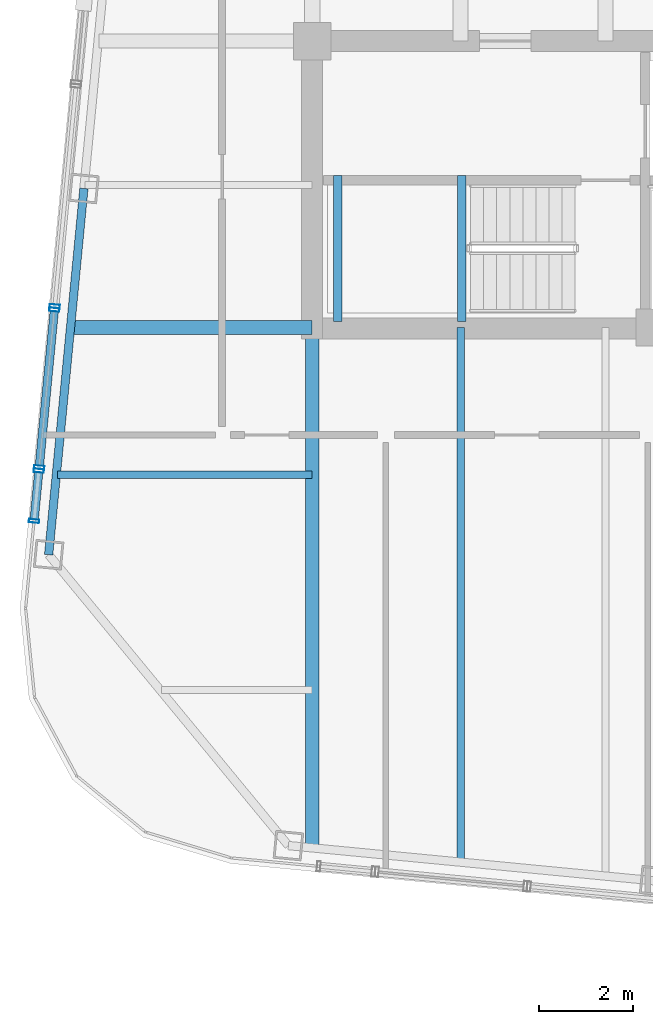
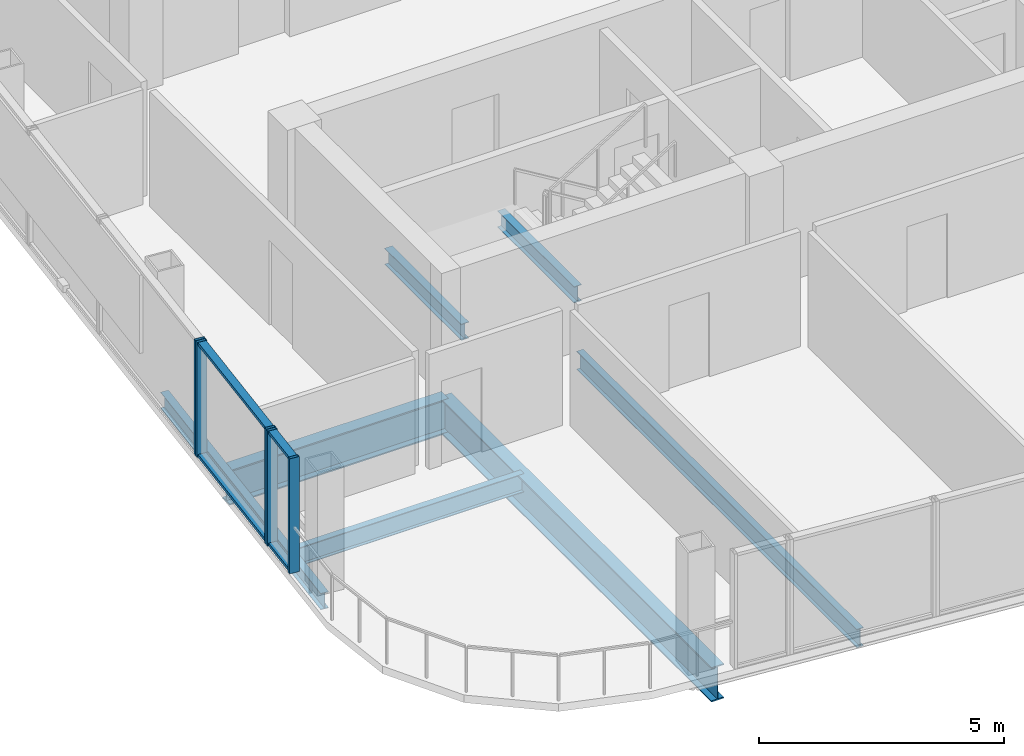
# One storey, part 3 of 27: 9 members, 7 beams, 3 elements without a shape of their own.
"""IFC4 building model written with IfcOpenShell, lengths in metres."""

from ifc_helpers import new_model, si_unit, direction, frame, origin, origin_2d, place, context, subcontext, project, spatial, hollow_rectangle, i_section, extrude, material, layer, layer_set, material_profile, profile_set, type_object, element, aggregate, save


model = new_model("IFC4")

# Units and contexts
model_context = context("Model", 3, precision=1e-05, world=origin(), true_north=direction((0.0, 1.0)))
body_context = subcontext(model_context, "Body", "Model", "MODEL_VIEW")
ifc_project = project(units=[si_unit("LENGTHUNIT", "METRE"), si_unit("AREAUNIT", "SQUARE_METRE"), si_unit("VOLUMEUNIT", "CUBIC_METRE"), si_unit("PLANEANGLEUNIT", "RADIAN"), si_unit("MASSUNIT", "GRAM", prefix="KILO")], contexts=[model_context])

# Site, building, storey
site_placement = place(None, origin())
site = spatial("IfcSite", under=ifc_project, at=site_placement, CompositionType="ELEMENT")
building_placement = place(site_placement, origin())
building = spatial("IfcBuilding", under=site, at=building_placement, Name="Qhalaya Broadcast Tower", CompositionType="ELEMENT")
storey_placement = place(building_placement, frame((0.0, 0.0, 258.10009765625)))
storey = spatial("IfcBuildingStorey", under=building, at=storey_placement, Name="L76", CompositionType="ELEMENT", Elevation=258.10009765625)

# Beams
ifc_material_1 = material(Name="Structural Steel ASTM A992 Grade 50", Category="steel")
ifc_material_profile_1 = material_profile(ifc_material_1, i_section(OverallWidth=0.154052734375, OverallDepth=0.458984375, WebThickness=0.009033203125, FlangeThickness=0.015380859375, at=origin_2d()), Name="W18X46")
ifc_profile_set_1 = profile_set([ifc_material_profile_1], Name="Structural Steel ASTM A992 Grade 50")
beam_type_1 = type_object("IfcBeamType", Name="Composite Floor Joist J04", PredefinedType="JOIST", material=ifc_profile_set_1)
beam_1_placement = place(storey_placement, frame((-6.199951171875, -20.1630859375, -0.419677734375), z_axis=(0.0, 1.0, 0.0), x_axis=(-1.0, 0.0, 0.0)))
element("IfcBeam", 1, at=beam_1_placement, inside=storey, type_object=beam_type_1, Name="L76 J04 L76-JNS1-1", PredefinedType="JOIST", context=body_context, shape_type="SweptSolid", body=[
    extrude(i_section(OverallWidth=0.154052734375, OverallDepth=0.458984375, WebThickness=0.009033203125, FlangeThickness=0.015380859375, at=origin_2d()), origin(), (0.0, 0.0, 1.0), 11.4130859375),
])
beam_2_placement = place(storey_placement, frame((-14.82568359375, -11.89990234375, -0.419677734375), z_axis=(1.0, 0.0, 0.0), x_axis=(0.0, 1.0, 0.0)))
element("IfcBeam", 2, at=beam_2_placement, inside=storey, type_object=beam_type_1, Name="L76 J04 L76-JWE2W-1", PredefinedType="JOIST", context=body_context, shape_type="SweptSolid", body=[
    extrude(i_section(OverallWidth=0.154052734375, OverallDepth=0.458984375, WebThickness=0.009033203125, FlangeThickness=0.015380859375, at=origin_2d()), origin(), (0.0, 0.0, 1.0), 5.45068359375),
])

# Curtain wall, member
ifc_material_2 = material(Name="Fired Architectural Terracotta", Category="masonry")
ifc_layer_1 = layer(ifc_material_2, 0.219970703125, Name="Fired Architectural Terracotta")
ifc_layer_set_1 = layer_set([ifc_layer_1], Name="Fired Architectural Terracotta")
curtain_wall_type_1 = type_object("IfcCurtainWallType", Name="Block-Cap Unitised Terracotta Spandrel Wall CW-07", PredefinedType="NOTDEFINED", material=ifc_layer_set_1)
curtain_wall_1_placement = place(storey_placement, origin())
curtain_wall_1 = element("IfcCurtainWall", 3, at=curtain_wall_1_placement, inside=storey, type_object=curtain_wall_type_1, Name="L76 Unitised Curtain Wall L76-CW-W5", PredefinedType="NOTDEFINED")
ifc_material_3 = material(Name="Anodised Aluminium 6063-T6", Category="aluminium")
ifc_material_profile_2 = material_profile(ifc_material_3, hollow_rectangle(XDim=0.074951171875, YDim=0.219970703125, WallThickness=0.00390625, at=origin_2d()), Name="ALU-MUL 75x220x4")
ifc_profile_set_2 = profile_set([ifc_material_profile_2], Name="Anodised Aluminium 6063-T6")
member_type_1 = type_object("IfcMemberType", Name="Unitised Curtain-Wall Mullion M01", PredefinedType="MULLION", material=ifc_profile_set_2)
member_1_placement = place(storey_placement, frame((-14.880615234375, -8.2958984375, 0.0), z_axis=(0.0, 0.0, 1.0), x_axis=(-0.095860228044, -0.995394804427, 0.0)))
member_1 = element("IfcMember", 4, at=member_1_placement, type_object=member_type_1, Name="CW-07 mullion 2", PredefinedType="MULLION", context=body_context, shape_type="SweptSolid", body=[
    extrude(hollow_rectangle(XDim=0.074951171875, YDim=0.219970703125, WallThickness=0.00390625, at=origin_2d()), origin(), (0.0, 0.0, 1.0), 2.85986328125),
])
aggregate(curtain_wall_1, [member_1])

# Curtain wall, members
ifc_material_4 = material(Name="Solar-Control Low-E Triple Glazing", Category="glass")
ifc_layer_2 = layer(ifc_material_4, 0.219970703125, Name="Solar-Control Low-E Triple Glazing")
ifc_layer_set_2 = layer_set([ifc_layer_2], Name="Solar-Control Low-E Triple Glazing")
curtain_wall_type_2 = type_object("IfcCurtainWallType", Name="High-Altitude Upper-Shaft Triple Low-E Curtain Wall CW-04", PredefinedType="NOTDEFINED", material=ifc_layer_set_2)
curtain_wall_2_placement = place(storey_placement, origin())
curtain_wall_2 = element("IfcCurtainWall", 5, at=curtain_wall_2_placement, inside=storey, type_object=curtain_wall_type_2, Name="L76 Unitised Curtain Wall L76-CW-W6", PredefinedType="NOTDEFINED")
member_2_placement = place(storey_placement, frame((-14.887939453125, -8.37060546875, 0.0), z_axis=(0.0, 0.0, 1.0), x_axis=(-0.095839108862, -0.995396838056, 0.0)))
member_2 = element("IfcMember", 6, at=member_2_placement, type_object=member_type_1, Name="CW-04 mullion 1", PredefinedType="MULLION", context=body_context, shape_type="SweptSolid", body=[
    extrude(hollow_rectangle(XDim=0.074951171875, YDim=0.219970703125, WallThickness=0.00390625, at=origin_2d()), origin(), (0.0, 0.0, 1.0), 2.85986328125),
])
member_3_placement = place(storey_placement, frame((-15.212158203125, -11.73876953125, 0.0), z_axis=(0.0, 0.0, 1.0), x_axis=(-0.095839108862, -0.995396838056, 0.0)))
member_3 = element("IfcMember", 7, at=member_3_placement, type_object=member_type_1, Name="CW-04 mullion 2", PredefinedType="MULLION", context=body_context, shape_type="SweptSolid", body=[
    extrude(hollow_rectangle(XDim=0.074951171875, YDim=0.219970703125, WallThickness=0.00390625, at=origin_2d()), origin(), (0.0, 0.0, 1.0), 2.85986328125),
])

curtain_wall_3_placement = place(storey_placement, origin())
curtain_wall_3 = element("IfcCurtainWall", 8, at=curtain_wall_3_placement, inside=storey, type_object=curtain_wall_type_1, Name="L76 Unitised Curtain Wall L76-CW-W7", PredefinedType="NOTDEFINED")
member_4_placement = place(storey_placement, frame((-15.219482421875, -11.8134765625, 0.0), z_axis=(0.0, 0.0, 1.0), x_axis=(-0.095839545253, -0.995396796039, 0.0)))
member_4 = element("IfcMember", 9, at=member_4_placement, type_object=member_type_1, Name="CW-07 mullion 1", PredefinedType="MULLION", context=body_context, shape_type="SweptSolid", body=[
    extrude(hollow_rectangle(XDim=0.074951171875, YDim=0.219970703125, WallThickness=0.00390625, at=origin_2d()), origin(), (0.0, 0.0, 1.0), 2.85986328125),
])
member_5_placement = place(storey_placement, frame((-15.32275390625, -12.887451171875, 0.0), z_axis=(0.0, 0.0, 1.0), x_axis=(-0.095839545253, -0.995396796039, 0.0)))
member_5 = element("IfcMember", 10, at=member_5_placement, type_object=member_type_1, Name="CW-07 mullion 2", PredefinedType="MULLION", context=body_context, shape_type="SweptSolid", body=[
    extrude(hollow_rectangle(XDim=0.074951171875, YDim=0.219970703125, WallThickness=0.00390625, at=origin_2d()), origin(), (0.0, 0.0, 1.0), 2.85986328125),
])

# Member
ifc_material_profile_3 = material_profile(ifc_material_3, hollow_rectangle(XDim=0.074951171875, YDim=0.179931640625, WallThickness=0.00390625, at=origin_2d()), Name="ALU-TRN 75x180x4")
ifc_profile_set_3 = profile_set([ifc_material_profile_3], Name="Anodised Aluminium 6063-T6")
member_type_2 = type_object("IfcMemberType", Name="Unitised Curtain-Wall Transom T01", PredefinedType="USERDEFINED", material=ifc_profile_set_3)
member_6_placement = place(storey_placement, frame((-14.8916015625, -8.407958984375, 0.037353515625), z_axis=(-0.095770048436, -0.995403484936, 0.0), x_axis=(0.0, 0.0, 1.0)))
member_6 = element("IfcMember", 11, at=member_6_placement, type_object=member_type_2, Name="CW-04 transom 1.1", ObjectType="TRANSOM", PredefinedType="USERDEFINED", context=body_context, shape_type="SweptSolid", body=[
    extrude(hollow_rectangle(XDim=0.074951171875, YDim=0.179931640625, WallThickness=0.00390625, at=origin_2d()), origin(), (0.0, 0.0, 1.0), 3.308837890625),
])

member_7_placement = place(storey_placement, frame((-14.8916015625, -8.407958984375, 2.822509765625), z_axis=(-0.095770048436, -0.995403484936, 0.0), x_axis=(0.0, 0.0, 1.0)))
member_7 = element("IfcMember", 12, at=member_7_placement, type_object=member_type_2, Name="CW-04 transom 1.2", ObjectType="TRANSOM", PredefinedType="USERDEFINED", context=body_context, shape_type="SweptSolid", body=[
    extrude(hollow_rectangle(XDim=0.074951171875, YDim=0.179931640625, WallThickness=0.00390625, at=origin_2d()), origin(), (0.0, 0.0, 1.0), 3.308837890625),
])

aggregate(curtain_wall_2, [member_2, member_3, member_6, member_7])

member_8_placement = place(storey_placement, frame((-15.222900390625, -11.850830078125, 0.037353515625), z_axis=(-0.095795797955, -0.99540100718, 0.0), x_axis=(0.0, 0.0, 1.0)))
member_8 = element("IfcMember", 13, at=member_8_placement, type_object=member_type_2, Name="CW-07 transom 1.1", ObjectType="TRANSOM", PredefinedType="USERDEFINED", context=body_context, shape_type="SweptSolid", body=[
    extrude(hollow_rectangle(XDim=0.074951171875, YDim=0.179931640625, WallThickness=0.00390625, at=origin_2d()), origin(), (0.0, 0.0, 1.0), 1.004150390625),
])

member_9_placement = place(storey_placement, frame((-15.222900390625, -11.850830078125, 2.822509765625), z_axis=(-0.095795797955, -0.99540100718, 0.0), x_axis=(0.0, 0.0, 1.0)))
member_9 = element("IfcMember", 14, at=member_9_placement, type_object=member_type_2, Name="CW-07 transom 1.2", ObjectType="TRANSOM", PredefinedType="USERDEFINED", context=body_context, shape_type="SweptSolid", body=[
    extrude(hollow_rectangle(XDim=0.074951171875, YDim=0.179931640625, WallThickness=0.00390625, at=origin_2d()), origin(), (0.0, 0.0, 1.0), 1.004150390625),
])

aggregate(curtain_wall_3, [member_4, member_5, member_8, member_9])

# Beams
ifc_material_profile_4 = material_profile(ifc_material_1, i_section(OverallWidth=0.2919921875, OverallDepth=0.85888671875, WebThickness=0.01708984375, FlangeThickness=0.031005859375, at=origin_2d()), Name="W33X169")
ifc_profile_set_4 = profile_set([ifc_material_profile_4], Name="Structural Steel ASTM A992 Grade 50")
beam_type_2 = type_object("IfcBeamType", Name="Upper Block Primary Girder PG4", PredefinedType="USERDEFINED", material=ifc_profile_set_4)
beam_3_placement = place(storey_placement, frame((-9.375, -19.857421875, -0.61962890625), z_axis=(0.0, 1.0, 0.0), x_axis=(-1.0, 0.0, 0.0)))
element("IfcBeam", 15, at=beam_3_placement, inside=storey, type_object=beam_type_2, Name="L76 PG4 L76-PGXS1-1", ObjectType="GIRDER", PredefinedType="USERDEFINED", context=body_context, shape_type="SweptSolid", body=[
    extrude(i_section(OverallWidth=0.2919921875, OverallDepth=0.85888671875, WebThickness=0.01708984375, FlangeThickness=0.031005859375, at=origin_2d()), origin(), (0.0, 0.0, 1.0), 11.107421875),
])
beam_4_placement = place(storey_placement, frame((-14.5224609375, -8.75, -0.61962890625), z_axis=(1.0, 0.0, 0.0), x_axis=(0.0, 1.0, 0.0)))
element("IfcBeam", 16, at=beam_4_placement, inside=storey, type_object=beam_type_2, Name="L76 PG4 L76-PGYW1-1", ObjectType="GIRDER", PredefinedType="USERDEFINED", context=body_context, shape_type="SweptSolid", body=[
    extrude(i_section(OverallWidth=0.2919921875, OverallDepth=0.85888671875, WebThickness=0.01708984375, FlangeThickness=0.031005859375, at=origin_2d()), origin(), (0.0, 0.0, 1.0), 5.1474609375),
])
ifc_material_profile_5 = material_profile(ifc_material_1, i_section(OverallWidth=0.177978515625, OverallDepth=0.406005859375, WebThickness=0.0078125, FlangeThickness=0.0126953125, at=origin_2d()), Name="W16X40")
ifc_profile_set_5 = profile_set([ifc_material_profile_5], Name="Structural Steel ASTM A992 Grade 50")
beam_type_3 = type_object("IfcBeamType", Name="Upper Perimeter Spandrel Beam SP2", PredefinedType="SPANDREL", material=ifc_profile_set_5)
beam_5_placement = place(storey_placement, frame((-14.25634765625, -5.77783203125, -0.39306640625), z_axis=(-0.095864972855, -0.995394347472, 0.0), x_axis=(0.995394347472, -0.095864972855, 0.0)))
element("IfcBeam", 17, at=beam_5_placement, inside=storey, type_object=beam_type_3, Name="L76 SP2 L76-SPR-15", PredefinedType="SPANDREL", context=body_context, shape_type="SweptSolid", body=[
    extrude(i_section(OverallWidth=0.177978515625, OverallDepth=0.406005859375, WebThickness=0.0078125, FlangeThickness=0.0126953125, at=origin_2d()), origin(), (0.0, 0.0, 1.0), 7.86669921875),
])
for number, where, z_axis, x_axis, name in (
    (18, (-8.830078125, -8.6201171875, 1.121826171875), (0.0, 1.0, 0.0), (-1.0, 0.0, 0.0), "L76 ST-2 Half-Landing Bearer Beam 1"),
    (19, (-6.175048828125, -8.6201171875, 1.121826171875), (0.0, 1.0, 0.0), (-1.0, 0.0, 0.0), "L76 ST-2 Half-Landing Bearer Beam 2"),
):
    element("IfcBeam", number, at=place(storey_placement, frame(where, z_axis=z_axis, x_axis=x_axis)), inside=storey, type_object=beam_type_3, Name=name, PredefinedType="SPANDREL", context=body_context, shape_type="SweptSolid", body=[
        extrude(i_section(OverallWidth=0.177978515625, OverallDepth=0.406005859375, WebThickness=0.0078125, FlangeThickness=0.0126953125, at=origin_2d()), origin(), (0.0, 0.0, 1.0), 3.1201171875),
    ])

save(model, "model.ifc")
